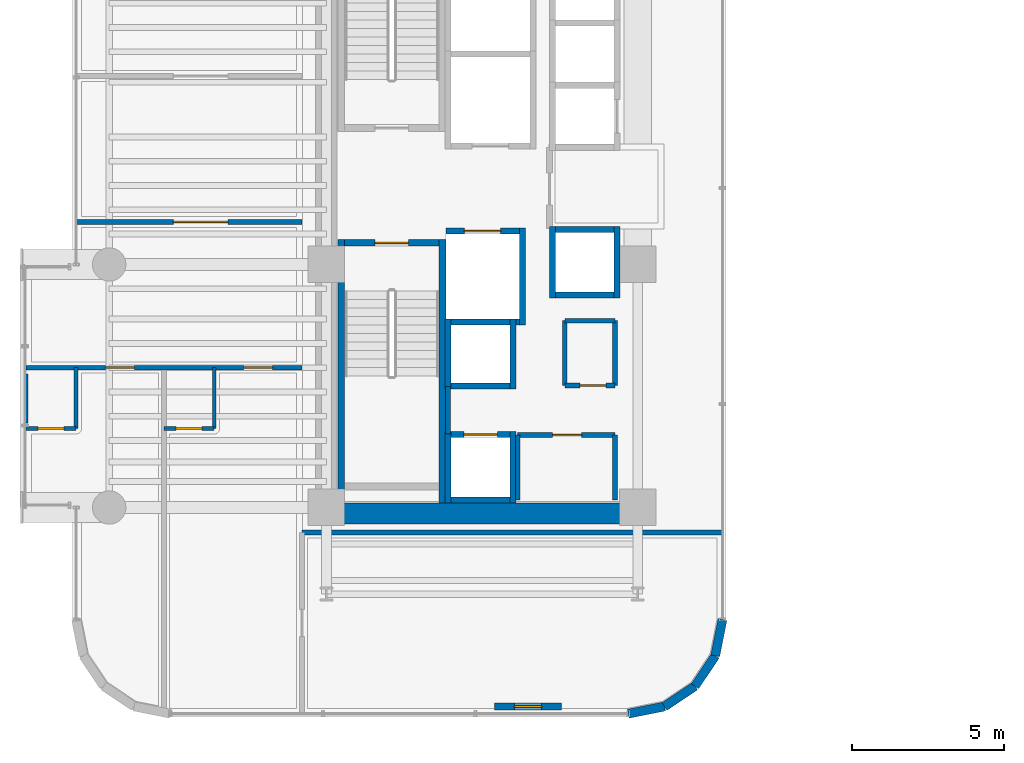
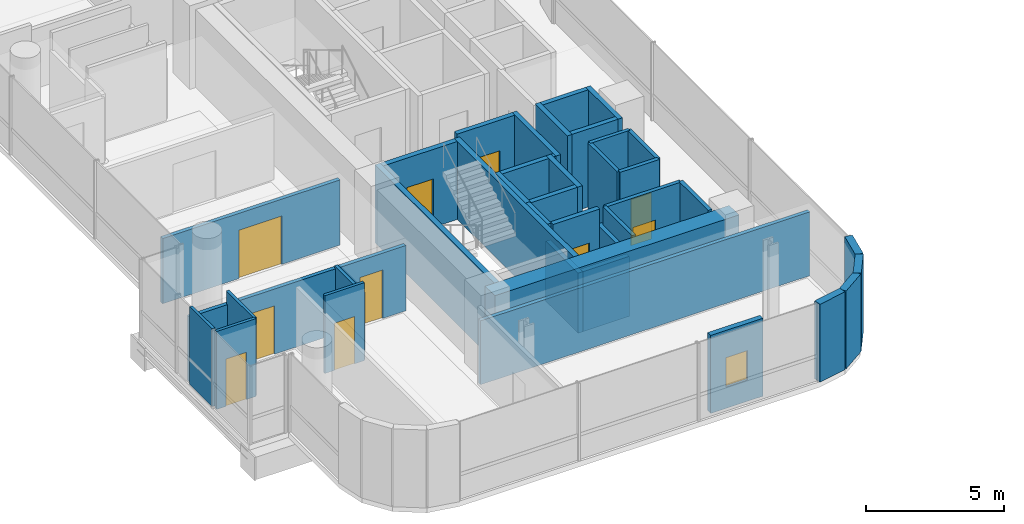
# One storey, part 28 of 37: 39 walls, 10 doors, 1 window, 11 openings.
"""IFC4 building model written with IfcOpenShell, lengths in metres."""

from ifc_helpers import new_model, si_unit, direction, frame, frame_2d, origin, place, context, subcontext, project, spatial, rectangle, extrude, material, layer, layer_set, type_object, element, fill, save


model = new_model("IFC4")

# Units and contexts
model_context = context("Model", 3, precision=1e-05, world=origin(), true_north=direction((0.0, 1.0)))
body_context = subcontext(model_context, "Body", "Model", "MODEL_VIEW")
ifc_project = project(units=[si_unit("LENGTHUNIT", "METRE"), si_unit("AREAUNIT", "SQUARE_METRE"), si_unit("VOLUMEUNIT", "CUBIC_METRE"), si_unit("PLANEANGLEUNIT", "RADIAN"), si_unit("MASSUNIT", "GRAM", prefix="KILO")], contexts=[model_context])

# Site, building, storey
site_placement = place(None, origin())
site = spatial("IfcSite", under=ifc_project, at=site_placement, CompositionType="ELEMENT")
building_placement = place(site_placement, origin())
building = spatial("IfcBuilding", under=site, at=building_placement, Name="Valdorenza Pilgrim Sanctuary Tower", CompositionType="ELEMENT")
storey_placement = place(building_placement, frame((0.0, 0.0, 135.300048828125)))
storey = spatial("IfcBuildingStorey", under=building, at=storey_placement, Name="L34", CompositionType="ELEMENT", Elevation=135.300048828125)

# Wall
ifc_material_1 = material(Name="Acoustic twin-stud gypsum partition", Category="gypsum")
ifc_layer_1 = layer(ifc_material_1, 0.159912109375, Name="Acoustic twin-stud gypsum partition")
ifc_layer_set_1 = layer_set([ifc_layer_1], Name="Acoustic twin-stud gypsum partition")
wall_type_1 = type_object("IfcWallType", Name="WAL-COR-160", PredefinedType="PARTITIONING", material=ifc_layer_set_1)
wall_1_placement = place(storey_placement, frame((-18.64990234375, -8.179931640625, 0.0), z_axis=(0.0, 0.0, 1.0), x_axis=(0.0, 1.0, 0.0)))
element("IfcWall", 1, at=wall_1_placement, inside=storey, type_object=wall_type_1, Name="L34 Core A South Lift Hall West Wall", PredefinedType="PARTITIONING", context=body_context, shape_type="SweptSolid", body=[
    extrude(rectangle(XDim=1.559814453125, YDim=0.159912109375, at=frame_2d((0.77978515625, 0.0))), origin(), (0.0, 0.0, 1.0), 3.4599609375),
])

# Wall, opening, door
wall_2_placement = place(storey_placement, frame((-16.35009765625, -8.219970703125, 0.0), z_axis=(0.0, 0.0, 1.0), x_axis=(1.0, 0.0, 0.0)))
wall_2 = element("IfcWall", 2, at=wall_2_placement, inside=storey, type_object=wall_type_1, Name="L34 Freed Shaft 1 North Wall", PredefinedType="PARTITIONING", context=body_context, shape_type="SweptSolid", body=[
    extrude(rectangle(XDim=3.2001953125, YDim=0.159912109375, at=frame_2d((1.60009765625, 0.0))), origin(), (0.0, 0.0, 1.0), 3.4599609375),
])
opening_1_placement = place(wall_2_placement, frame((1.14990234375, 0.0, 0.0)))
opening_1 = element("IfcOpeningElement", 3, at=opening_1_placement, cuts=wall_2, Name="Opening DR-UN1", PredefinedType="OPENING", context=body_context, shape_type="SweptSolid", body=[
    extrude(rectangle(XDim=0.949951171875, YDim=2.14990234375, at=frame_2d((0.47509765625, 1.074951171875))), frame((0.0, 0.0947265625, 0.0), z_axis=(0.0, -1.0, 0.0), x_axis=(1.0, 0.0, 0.0)), (0.0, 0.0, 1.0), 0.189697265625),
])
ifc_material_2 = material(Name="Solid-core European oak timber", Category="wood")
door_type_1 = type_object("IfcDoorType", Name="DR-UNIT-950", OperationType="NOTDEFINED", PredefinedType="DOOR", material=ifc_material_2)
door_1_placement = place(opening_1_placement, origin())
door_1 = element("IfcDoor", 4, at=door_1_placement, inside=storey, type_object=door_type_1, Name="L34 Back-of-House Linen Store Door", OperationType="SINGLE_SWING_RIGHT", OverallHeight=2.14990234375, OverallWidth=0.949951171875, PredefinedType="DOOR", context=body_context, shape_type="SweptSolid", body=[
    extrude(rectangle(XDim=0.949951171875, YDim=2.14990234375, at=frame_2d((0.47509765625, 1.074951171875))), frame((0.0, 0.02490234375, 0.0), z_axis=(0.0, -1.0, 0.0), x_axis=(1.0, 0.0, 0.0)), (0.0, 0.0, 1.0), 0.050048828125),
])
fill(opening_1, door_1)

# Wall
wall_3_placement = place(storey_placement, frame((-13.14990234375, -10.35009765625, 0.0), z_axis=(0.0, 0.0, 1.0), x_axis=(0.0, 1.0, 0.0)))
element("IfcWall", 5, at=wall_3_placement, inside=storey, type_object=wall_type_1, Name="L34 Freed Shaft 1 East Wall", PredefinedType="PARTITIONING", context=body_context, shape_type="SweptSolid", body=[
    extrude(rectangle(XDim=2.130126953125, YDim=0.159912109375, at=frame_2d((1.06494140625, 0.0))), origin(), (0.0, 0.0, 1.0), 3.4599609375),
])

# Wall, opening, door
wall_4_placement = place(storey_placement, frame((-14.800048828125, -6.580078125, 0.0), z_axis=(0.0, 0.0, 1.0), x_axis=(1.0, 0.0, 0.0)))
wall_4 = element("IfcWall", 6, at=wall_4_placement, inside=storey, type_object=wall_type_1, Name="L34 Freed Shaft 2 South Wall", PredefinedType="PARTITIONING", context=body_context, shape_type="SweptSolid", body=[
    extrude(rectangle(XDim=1.650146484375, YDim=0.159912109375, at=frame_2d((0.8251953125, 0.0))), origin(), (0.0, 0.0, 1.0), 3.4599609375),
])
opening_2_placement = place(wall_4_placement, frame((0.5, 0.0, 0.0)))
opening_2 = element("IfcOpeningElement", 7, at=opening_2_placement, cuts=wall_4, Name="Opening DR-RS1", PredefinedType="OPENING", context=body_context, shape_type="SweptSolid", body=[
    extrude(rectangle(XDim=0.85009765625, YDim=2.050048828125, at=frame_2d((0.425048828125, 1.02490234375))), frame((0.0, 0.0947265625, 0.0), z_axis=(0.0, -1.0, 0.0), x_axis=(1.0, 0.0, 0.0)), (0.0, 0.0, 1.0), 0.189697265625),
])
ifc_material_3 = material(Name="Painted galvanized steel", Category="steel")
door_type_2 = type_object("IfcDoorType", Name="DR-RSR-850", OperationType="NOTDEFINED", PredefinedType="DOOR", material=ifc_material_3)
door_2_placement = place(opening_2_placement, origin())
door_2 = element("IfcDoor", 8, at=door_2_placement, inside=storey, type_object=door_type_2, Name="L34 Guest Tea Pantry Door", OperationType="SINGLE_SWING_LEFT", OverallHeight=2.050048828125, OverallWidth=0.85009765625, PredefinedType="DOOR", context=body_context, shape_type="SweptSolid", body=[
    extrude(rectangle(XDim=0.85009765625, YDim=2.050048828125, at=frame_2d((0.425048828125, 1.02490234375))), frame((0.0, 0.02490234375, 0.0), z_axis=(0.0, -1.0, 0.0), x_axis=(1.0, 0.0, 0.0)), (0.0, 0.0, 1.0), 0.050048828125),
])
fill(opening_2, door_2)

# Walls
wall_5_placement = place(storey_placement, frame((-13.14990234375, -6.580078125, 0.0), z_axis=(0.0, 0.0, 1.0), x_axis=(0.0, 1.0, 0.0)))
element("IfcWall", 9, at=wall_5_placement, inside=storey, type_object=wall_type_1, Name="L34 Freed Shaft 2 East Wall", PredefinedType="PARTITIONING", context=body_context, shape_type="SweptSolid", body=[
    extrude(rectangle(XDim=2.130126953125, YDim=0.159912109375, at=frame_2d((1.06494140625, 0.0))), origin(), (0.0, 0.0, 1.0), 3.4599609375),
])
wall_6_placement = place(storey_placement, frame((-23.449951171875, -11.419921875, 0.0), z_axis=(0.0, 0.0, 1.0), x_axis=(1.0, 0.0, 0.0)))
element("IfcWall", 10, at=wall_6_placement, inside=storey, type_object=wall_type_1, Name="L34 South-East Pocket North Wall", PredefinedType="PARTITIONING", context=body_context, shape_type="SweptSolid", body=[
    extrude(rectangle(XDim=13.83984375, YDim=0.159912109375, at=frame_2d((6.919921875, 0.0))), origin(), (0.0, 0.0, 1.0), 2.833984375),
])

# Wall, openings, doors
wall_7_placement = place(storey_placement, frame((-32.5400390625, -6.0, 0.0), z_axis=(0.0, 0.0, 1.0), x_axis=(1.0, 0.0, 0.0)))
wall_7 = element("IfcWall", 11, at=wall_7_placement, inside=storey, type_object=wall_type_1, Name="L34 Cloister South Room Wall", PredefinedType="PARTITIONING", context=body_context, shape_type="SweptSolid", body=[
    extrude(rectangle(XDim=9.090087890625, YDim=0.159912109375, at=frame_2d((4.544921875, 0.0))), origin(), (0.0, 0.0, 1.0), 2.89599609375),
])
opening_3_placement = place(wall_7_placement, frame((2.6220703125, 0.0, 0.0)))
opening_3 = element("IfcOpeningElement", 12, at=opening_3_placement, cuts=wall_7, Name="Opening DR-UN1", PredefinedType="OPENING", context=body_context, shape_type="SweptSolid", body=[
    extrude(rectangle(XDim=0.949951171875, YDim=2.14990234375, at=frame_2d((0.47509765625, 1.074951171875))), frame((0.0, 0.0947265625, 0.0), z_axis=(0.0, -1.0, 0.0), x_axis=(1.0, 0.0, 0.0)), (0.0, 0.0, 1.0), 0.189697265625),
])
opening_4_placement = place(wall_7_placement, frame((7.16796875, 0.0, 0.0)))
opening_4 = element("IfcOpeningElement", 13, at=opening_4_placement, cuts=wall_7, Name="Opening DR-UN1", PredefinedType="OPENING", context=body_context, shape_type="SweptSolid", body=[
    extrude(rectangle(XDim=0.949951171875, YDim=2.14990234375, at=frame_2d((0.47509765625, 1.074951171875))), frame((0.0, 0.0947265625, 0.0), z_axis=(0.0, -1.0, 0.0), x_axis=(1.0, 0.0, 0.0)), (0.0, 0.0, 1.0), 0.189697265625),
])
door_3_placement = place(opening_3_placement, frame((0.949951171875, 0.0, 0.0), z_axis=(0.0, 0.0, 1.0), x_axis=(-1.0, 0.0, 0.0)))
door_3 = element("IfcDoor", 14, at=door_3_placement, inside=storey, type_object=door_type_1, Name="L34 Pilgrim Guest Room L34-CS1A Entrance Door", OperationType="SINGLE_SWING_LEFT", OverallHeight=2.14990234375, OverallWidth=0.949951171875, PredefinedType="DOOR", context=body_context, shape_type="SweptSolid", body=[
    extrude(rectangle(XDim=0.949951171875, YDim=2.14990234375, at=frame_2d((0.47509765625, 1.074951171875))), frame((0.0, 0.02490234375, 0.0), z_axis=(0.0, -1.0, 0.0), x_axis=(1.0, 0.0, 0.0)), (0.0, 0.0, 1.0), 0.050048828125),
])
fill(opening_3, door_3)
door_4_placement = place(opening_4_placement, frame((0.949951171875, 0.0, 0.0), z_axis=(0.0, 0.0, 1.0), x_axis=(-1.0, 0.0, 0.0)))
door_4 = element("IfcDoor", 15, at=door_4_placement, inside=storey, type_object=door_type_1, Name="L34 Pilgrim Guest Room L34-CS1B Entrance Door", OperationType="SINGLE_SWING_LEFT", OverallHeight=2.14990234375, OverallWidth=0.949951171875, PredefinedType="DOOR", context=body_context, shape_type="SweptSolid", body=[
    extrude(rectangle(XDim=0.949951171875, YDim=2.14990234375, at=frame_2d((0.47509765625, 1.074951171875))), frame((0.0, 0.02490234375, 0.0), z_axis=(0.0, -1.0, 0.0), x_axis=(1.0, 0.0, 0.0)), (0.0, 0.0, 1.0), 0.050048828125),
])
fill(opening_4, door_4)

# Wall, opening, door
wall_8_placement = place(storey_placement, frame((-30.889892578125, -1.199951171875, 0.0), z_axis=(0.0, 0.0, 1.0), x_axis=(1.0, 0.0, 0.0)))
wall_8 = element("IfcWall", 16, at=wall_8_placement, inside=storey, type_object=wall_type_1, Name="L34 Cloister Mid Wall 1", PredefinedType="PARTITIONING", context=body_context, shape_type="SweptSolid", body=[
    extrude(rectangle(XDim=7.43994140625, YDim=0.159912109375, at=frame_2d((3.719970703125, 0.0))), origin(), (0.0, 0.0, 1.0), 2.89599609375),
])
opening_5_placement = place(wall_8_placement, frame((3.199951171875, 0.0, 0.0)))
opening_5 = element("IfcOpeningElement", 17, at=opening_5_placement, cuts=wall_8, Name="Opening DR-HL1", PredefinedType="OPENING", context=body_context, shape_type="SweptSolid", body=[
    extrude(rectangle(XDim=1.800048828125, YDim=2.14990234375, at=frame_2d((0.89990234375, 1.074951171875))), frame((0.0, 0.0947265625, 0.0), z_axis=(0.0, -1.0, 0.0), x_axis=(1.0, 0.0, 0.0)), (0.0, 0.0, 1.0), 0.189697265625),
])
ifc_material_4 = material(Name="Acoustic oak and vision-glass double door", Category="glass")
door_type_3 = type_object("IfcDoorType", Name="DR-HALL-1800", OperationType="NOTDEFINED", PredefinedType="DOOR", material=ifc_material_4)
door_5_placement = place(opening_5_placement, origin())
door_5 = element("IfcDoor", 18, at=door_5_placement, inside=storey, type_object=door_type_3, Name="L34 Cloister South-Mid Double Door", OperationType="DOUBLE_DOOR_SINGLE_SWING", OverallHeight=2.14990234375, OverallWidth=1.800048828125, PredefinedType="DOOR", context=body_context, shape_type="SweptSolid", body=[
    extrude(rectangle(XDim=1.800048828125, YDim=2.14990234375, at=frame_2d((0.89990234375, 1.074951171875))), frame((0.0, 0.02490234375, 0.0), z_axis=(0.0, -1.0, 0.0), x_axis=(1.0, 0.0, 0.0)), (0.0, 0.0, 1.0), 0.050048828125),
])
fill(opening_5, door_5)

# Walls
ifc_material_5 = material(Name="Concrete C60/75", Category="concrete")
ifc_layer_2 = layer(ifc_material_5, 0.699951171875, Name="Concrete C60/75")
ifc_layer_set_2 = layer_set([ifc_layer_2], Name="Concrete C60/75")
wall_type_2 = type_object("IfcWallType", Name="WAL-COR-700", PredefinedType="SHEAR", material=ifc_layer_set_2)
wall_9_placement = place(storey_placement, frame((-22.64990234375, -10.800048828125, 0.0), z_axis=(0.0, 0.0, 1.0), x_axis=(1.0, 0.0, 0.0)))
element("IfcWall", 19, at=wall_9_placement, inside=storey, type_object=wall_type_2, Name="L34 Split Core A Shear Wall S", PredefinedType="SHEAR", context=body_context, shape_type="SweptSolid", body=[
    extrude(rectangle(XDim=10.25, YDim=0.699951171875, at=frame_2d((5.125, 0.0))), origin(), (0.0, 0.0, 1.0), 3.4599609375),
])
ifc_material_6 = material(Name="Honed travertine limestone", Category="masonry")
ifc_layer_3 = layer(ifc_material_6, 0.300048828125, Name="Honed travertine limestone")
ifc_layer_set_3 = layer_set([ifc_layer_3], Name="Honed travertine limestone")
wall_type_3 = type_object("IfcWallType", Name="WAL-EXT-300", PredefinedType="SOLIDWALL", material=ifc_layer_set_3)
wall_10_placement = place(storey_placement, frame((-9.610107421875, -14.289306640625, 0.0), z_axis=(0.0, 0.0, 1.0), x_axis=(-0.194996050505, -0.980804027463, 0.0)))
element("IfcWall", 20, at=wall_10_placement, inside=storey, type_object=wall_type_3, Name="L34 Rounded Wind-Corner Stone Pier 42", PredefinedType="SOLIDWALL", context=body_context, shape_type="SweptSolid", body=[
    extrude(rectangle(XDim=1.2158203125, YDim=0.300048828125, at=frame_2d((0.60791015625, 0.0))), origin(), (0.0, 0.0, 1.0), 3.4599609375),
])
for number, where, z_axis, x_axis, name in (
    (21, (-9.84716796875, -15.481689453125, 0.0), (0.0, 0.0, 1.0), (-0.555635100982, -0.831426265255, 0.0), "L34 Rounded Wind-Corner Stone Pier 43"),
    (22, (-10.5166015625, -16.4833984375, 0.0), (0.0, 0.0, 1.0), (-0.831426265255, -0.555635100982, 0.0), "L34 Rounded Wind-Corner Stone Pier 44"),
):
    element("IfcWall", number, at=place(storey_placement, frame(where, z_axis=z_axis, x_axis=x_axis)), inside=storey, type_object=wall_type_3, Name=name, PredefinedType="SOLIDWALL", context=body_context, shape_type="SweptSolid", body=[
        extrude(rectangle(XDim=1.204833984375, YDim=0.300048828125, at=frame_2d((0.6025390625, 0.0))), origin(), (0.0, 0.0, 1.0), 3.4599609375),
    ])
wall_11_placement = place(storey_placement, frame((-11.518310546875, -17.15283203125, 0.0), z_axis=(0.0, 0.0, 1.0), x_axis=(-0.980804027463, -0.194996050505, 0.0)))
element("IfcWall", 23, at=wall_11_placement, inside=storey, type_object=wall_type_3, Name="L34 Rounded Wind-Corner Stone Pier 45", PredefinedType="SOLIDWALL", context=body_context, shape_type="SweptSolid", body=[
    extrude(rectangle(XDim=1.2158203125, YDim=0.300048828125, at=frame_2d((0.60791015625, 0.0))), origin(), (0.0, 0.0, 1.0), 3.4599609375),
])

# Wall, opening, window
wall_12_placement = place(storey_placement, frame((-14.910888671875, -17.14990234375, 0.0), z_axis=(0.0, 0.0, 1.0), x_axis=(-1.0, 0.0, 0.0)))
wall_12 = element("IfcWall", 24, at=wall_12_placement, inside=storey, type_object=wall_type_3, Name="L34 Operable Ventilation Sash Jamb Pier", PredefinedType="SOLIDWALL", context=body_context, shape_type="SweptSolid", body=[
    extrude(rectangle(XDim=2.199951171875, YDim=0.219970703125, at=frame_2d((1.10009765625, 0.0))), origin(), (0.0, 0.0, 1.0), 3.4599609375),
])
opening_6_placement = place(wall_12_placement, frame((0.64990234375, 0.0, 0.949951171875)))
opening_6 = element("IfcOpeningElement", 25, at=opening_6_placement, cuts=wall_12, Name="Opening WN-OP1", PredefinedType="OPENING", context=body_context, shape_type="SweptSolid", body=[
    extrude(rectangle(XDim=0.89990234375, YDim=1.300048828125, at=frame_2d((0.449951171875, 0.64990234375))), frame((0.0, 0.125, 0.0), z_axis=(0.0, -1.0, 0.0), x_axis=(1.0, 0.0, 0.0)), (0.0, 0.0, 1.0), 0.249755859375),
])
ifc_material_7 = material(Name="Ceramic-fritted low-E IGU glazing", Category="glass")
window_type = type_object("IfcWindowType", Name="WIN-OPN-900", PartitioningType="SINGLE_PANEL", PredefinedType="WINDOW", material=ifc_material_7)
window_placement = place(opening_6_placement, origin())
window = element("IfcWindow", 26, at=window_placement, inside=storey, type_object=window_type, Name="L34 Parallel-Pop-Out Operable Facade Panel", OverallHeight=1.300048828125, OverallWidth=0.89990234375, PartitioningType="SINGLE_PANEL", PredefinedType="WINDOW", context=body_context, shape_type="SweptSolid", body=[
    extrude(rectangle(XDim=0.89990234375, YDim=1.300048828125, at=frame_2d((0.449951171875, 0.64990234375))), frame((0.0, 0.030029296875, 0.0), z_axis=(0.0, -1.0, 0.0), x_axis=(1.0, 0.0, 0.0)), (0.0, 0.0, 1.0), 0.06005859375),
])
fill(opening_6, window)

# Wall
ifc_material_8 = material(Name="Moisture-resistant gypsum partition", Category="gypsum")
ifc_layer_4 = layer(ifc_material_8, 0.1201171875, Name="Moisture-resistant gypsum partition")
ifc_layer_set_4 = layer_set([ifc_layer_4], Name="Moisture-resistant gypsum partition")
wall_type_4 = type_object("IfcWallType", Name="WAL-INT-120", PredefinedType="PARTITIONING", material=ifc_layer_set_4)
wall_13_placement = place(storey_placement, frame((-30.889892578125, -8.0, 0.0), z_axis=(0.0, 0.0, 1.0), x_axis=(0.0, 1.0, 0.0)))
element("IfcWall", 27, at=wall_13_placement, inside=storey, type_object=wall_type_4, Name="L34 Pilgrim Guest Room L34-CS1A En-suite East Wall", PredefinedType="PARTITIONING", context=body_context, shape_type="SweptSolid", body=[
    extrude(rectangle(XDim=2.0, YDim=0.1201171875, at=frame_2d((1.0, 0.0))), origin(), (0.0, 0.0, 1.0), 3.4599609375),
])

# Wall, opening, door
wall_14_placement = place(storey_placement, frame((-32.5400390625, -8.0, 0.0), z_axis=(0.0, 0.0, 1.0), x_axis=(1.0, 0.0, 0.0)))
wall_14 = element("IfcWall", 28, at=wall_14_placement, inside=storey, type_object=wall_type_4, Name="L34 Pilgrim Guest Room L34-CS1A En-suite Door Wall", PredefinedType="PARTITIONING", context=body_context, shape_type="SweptSolid", body=[
    extrude(rectangle(XDim=1.650146484375, YDim=0.1201171875, at=frame_2d((0.8251953125, 0.0))), origin(), (0.0, 0.0, 1.0), 3.4599609375),
])
opening_7_placement = place(wall_14_placement, frame((0.39990234375, 0.0, 0.0)))
opening_7 = element("IfcOpeningElement", 29, at=opening_7_placement, cuts=wall_14, Name="Opening DR-WC1", PredefinedType="OPENING", context=body_context, shape_type="SweptSolid", body=[
    extrude(rectangle(XDim=0.85009765625, YDim=2.10009765625, at=frame_2d((0.425048828125, 1.050048828125))), frame((0.0, 0.074951171875, 0.0), z_axis=(0.0, -1.0, 0.0), x_axis=(1.0, 0.0, 0.0)), (0.0, 0.0, 1.0), 0.14990234375),
])
ifc_material_9 = material(Name="Moisture-resistant lacquered timber", Category="wood")
door_type_4 = type_object("IfcDoorType", Name="DR-BATH-850", OperationType="NOTDEFINED", PredefinedType="DOOR", material=ifc_material_9)
door_6_placement = place(opening_7_placement, origin())
door_6 = element("IfcDoor", 30, at=door_6_placement, inside=storey, type_object=door_type_4, Name="L34 Pilgrim Guest Room L34-CS1A En-suite Bathroom Door", OperationType="SINGLE_SWING_RIGHT", OverallHeight=2.10009765625, OverallWidth=0.85009765625, PredefinedType="DOOR", context=body_context, shape_type="SweptSolid", body=[
    extrude(rectangle(XDim=0.85009765625, YDim=2.10009765625, at=frame_2d((0.425048828125, 1.050048828125))), frame((0.0, 0.02490234375, 0.0), z_axis=(0.0, -1.0, 0.0), x_axis=(1.0, 0.0, 0.0)), (0.0, 0.0, 1.0), 0.050048828125),
])
fill(opening_7, door_6)

# Walls
wall_15_placement = place(storey_placement, frame((-32.5400390625, -7.820068359375, 0.0), z_axis=(0.0, 0.0, 1.0), x_axis=(0.0, 1.0, 0.0)))
element("IfcWall", 31, at=wall_15_placement, inside=storey, type_object=wall_type_4, Name="L34 CL-SG1A-ENS Enclosure Wall W", PredefinedType="PARTITIONING", context=body_context, shape_type="SweptSolid", body=[
    extrude(rectangle(XDim=1.6201171875, YDim=0.1201171875, at=frame_2d((0.81005859375, 0.0))), origin(), (0.0, 0.0, 1.0), 3.4599609375),
])
wall_16_placement = place(storey_placement, frame((-26.344970703125, -8.0, 0.0), z_axis=(0.0, 0.0, 1.0), x_axis=(0.0, 1.0, 0.0)))
element("IfcWall", 32, at=wall_16_placement, inside=storey, type_object=wall_type_4, Name="L34 Pilgrim Guest Room L34-CS1B En-suite East Wall", PredefinedType="PARTITIONING", context=body_context, shape_type="SweptSolid", body=[
    extrude(rectangle(XDim=2.0, YDim=0.1201171875, at=frame_2d((1.0, 0.0))), origin(), (0.0, 0.0, 1.0), 2.988037109375),
])

# Wall, opening, door
wall_17_placement = place(storey_placement, frame((-27.9951171875, -8.0, 0.0), z_axis=(0.0, 0.0, 1.0), x_axis=(1.0, 0.0, 0.0)))
wall_17 = element("IfcWall", 33, at=wall_17_placement, inside=storey, type_object=wall_type_4, Name="L34 Pilgrim Guest Room L34-CS1B En-suite Door Wall", PredefinedType="PARTITIONING", context=body_context, shape_type="SweptSolid", body=[
    extrude(rectangle(XDim=1.650146484375, YDim=0.1201171875, at=frame_2d((0.8251953125, 0.0))), origin(), (0.0, 0.0, 1.0), 3.4599609375),
])
opening_8_placement = place(wall_17_placement, frame((0.39990234375, 0.0, 0.0)))
opening_8 = element("IfcOpeningElement", 34, at=opening_8_placement, cuts=wall_17, Name="Opening DR-WC1", PredefinedType="OPENING", context=body_context, shape_type="SweptSolid", body=[
    extrude(rectangle(XDim=0.85009765625, YDim=2.10009765625, at=frame_2d((0.425048828125, 1.050048828125))), frame((0.0, 0.074951171875, 0.0), z_axis=(0.0, -1.0, 0.0), x_axis=(1.0, 0.0, 0.0)), (0.0, 0.0, 1.0), 0.14990234375),
])
door_7_placement = place(opening_8_placement, origin())
door_7 = element("IfcDoor", 35, at=door_7_placement, inside=storey, type_object=door_type_4, Name="L34 Pilgrim Guest Room L34-CS1B En-suite Bathroom Door", OperationType="SINGLE_SWING_RIGHT", OverallHeight=2.10009765625, OverallWidth=0.85009765625, PredefinedType="DOOR", context=body_context, shape_type="SweptSolid", body=[
    extrude(rectangle(XDim=0.85009765625, YDim=2.10009765625, at=frame_2d((0.425048828125, 1.050048828125))), frame((0.0, 0.02490234375, 0.0), z_axis=(0.0, -1.0, 0.0), x_axis=(1.0, 0.0, 0.0)), (0.0, 0.0, 1.0), 0.050048828125),
])
fill(opening_8, door_7)

# Walls
ifc_material_10 = material(Name="Autoclaved aerated concrete blockwork", Category="masonry")
ifc_layer_5 = layer(ifc_material_10, 0.199951171875, Name="Autoclaved aerated concrete blockwork")
ifc_layer_set_5 = layer_set([ifc_layer_5], Name="Autoclaved aerated concrete blockwork")
wall_type_5 = type_object("IfcWallType", Name="WAL-SHF-200", PredefinedType="MOVABLE", material=ifc_layer_set_5)
wall_18_placement = place(storey_placement, frame((-16.199951171875, -4.60009765625, 0.0), z_axis=(0.0, 0.0, 1.0), x_axis=(0.0, 1.0, 0.0)))
element("IfcWall", 36, at=wall_18_placement, inside=storey, type_object=wall_type_5, Name="L34 Lift FFL-02 Hoistway Wall East", PredefinedType="MOVABLE", context=body_context, shape_type="SweptSolid", body=[
    extrude(rectangle(XDim=3.2001953125, YDim=0.199951171875, at=frame_2d((1.60009765625, 0.0))), origin(), (0.0, 0.0, 1.0), 3.4599609375),
])
wall_19_placement = place(storey_placement, frame((-18.719970703125, -4.5, 0.0), z_axis=(0.0, 0.0, 1.0), x_axis=(1.0, 0.0, 0.0)))
element("IfcWall", 37, at=wall_19_placement, inside=storey, type_object=wall_type_5, Name="L34 Lift FFL-02 Hoistway Wall South", PredefinedType="MOVABLE", context=body_context, shape_type="SweptSolid", body=[
    extrude(rectangle(XDim=2.419921875, YDim=0.199951171875, at=frame_2d((1.2099609375, 0.0))), origin(), (0.0, 0.0, 1.0), 3.4599609375),
])

# Wall, opening, door
wall_20_placement = place(storey_placement, frame((-18.719970703125, -1.5, 0.0), z_axis=(0.0, 0.0, 1.0), x_axis=(1.0, 0.0, 0.0)))
wall_20 = element("IfcWall", 38, at=wall_20_placement, inside=storey, type_object=wall_type_5, Name="L34 Lift FFL-02 Hoistway Wall North", PredefinedType="MOVABLE", context=body_context, shape_type="SweptSolid", body=[
    extrude(rectangle(XDim=2.419921875, YDim=0.199951171875, at=frame_2d((1.2099609375, 0.0))), origin(), (0.0, 0.0, 1.0), 3.4599609375),
])
opening_9_placement = place(wall_20_placement, frame((0.610107421875, 0.0, 0.0)))
opening_9 = element("IfcOpeningElement", 39, at=opening_9_placement, cuts=wall_20, Name="Opening LD-02", PredefinedType="OPENING", context=body_context, shape_type="SweptSolid", body=[
    extrude(rectangle(XDim=1.199951171875, YDim=2.10009765625, at=frame_2d((0.60009765625, 1.050048828125))), frame((0.0, 0.11474609375, 0.0), z_axis=(0.0, -1.0, 0.0), x_axis=(1.0, 0.0, 0.0)), (0.0, 0.0, 1.0), 0.229736328125),
])
ifc_material_11 = material(Name="Brushed stainless steel Grade 316", Category="steel")
door_type_5 = type_object("IfcDoorType", Name="DR-LFT-1200", OperationType="DOUBLE_DOOR_SLIDING", PredefinedType="DOOR", material=ifc_material_11)
door_8_placement = place(opening_9_placement, origin())
door_8 = element("IfcDoor", 40, at=door_8_placement, inside=storey, type_object=door_type_5, Name="L34 Lift FFL-02 Sliding Landing Door", OperationType="DOUBLE_DOOR_SLIDING", OverallHeight=2.10009765625, OverallWidth=1.199951171875, PredefinedType="DOOR", context=body_context, shape_type="SweptSolid", body=[
    extrude(rectangle(XDim=1.199951171875, YDim=2.10009765625, at=frame_2d((0.60009765625, 1.050048828125))), frame((0.0, 0.02490234375, 0.0), z_axis=(0.0, -1.0, 0.0), x_axis=(1.0, 0.0, 0.0)), (0.0, 0.0, 1.0), 0.050048828125),
])
fill(opening_9, door_8)

# Walls
for number, where, z_axis, x_axis, name in (
    (41, (-18.64990234375, -10.449951171875, 0.0), (0.0, 0.0, 1.0), (0.0, 1.0, 0.0), "L34 Lift PL-05 Hoistway Wall West"),
    (42, (-16.5, -10.449951171875, 0.0), (0.0, 0.0, 1.0), (0.0, 1.0, 0.0), "L34 Lift PL-05 Hoistway Wall East"),
):
    element("IfcWall", number, at=place(storey_placement, frame(where, z_axis=z_axis, x_axis=x_axis)), inside=storey, type_object=wall_type_5, Name=name, PredefinedType="MOVABLE", context=body_context, shape_type="SweptSolid", body=[
        extrude(rectangle(XDim=2.349853515625, YDim=0.199951171875, at=frame_2d((1.1748046875, 0.0))), origin(), (0.0, 0.0, 1.0), 2.666015625),
    ])
wall_21_placement = place(storey_placement, frame((-18.550048828125, -10.35009765625, 0.0), z_axis=(0.0, 0.0, 1.0), x_axis=(1.0, 0.0, 0.0)))
element("IfcWall", 43, at=wall_21_placement, inside=storey, type_object=wall_type_5, Name="L34 Lift PL-05 Hoistway Wall South", PredefinedType="MOVABLE", context=body_context, shape_type="SweptSolid", body=[
    extrude(rectangle(XDim=1.949951171875, YDim=0.199951171875, at=frame_2d((0.97509765625, 0.0))), origin(), (0.0, 0.0, 1.0), 2.666015625),
])

# Wall, opening, door
wall_22_placement = place(storey_placement, frame((-18.550048828125, -8.199951171875, 0.0), z_axis=(0.0, 0.0, 1.0), x_axis=(1.0, 0.0, 0.0)))
wall_22 = element("IfcWall", 44, at=wall_22_placement, inside=storey, type_object=wall_type_5, Name="L34 Lift PL-05 Hoistway Wall North", PredefinedType="MOVABLE", context=body_context, shape_type="SweptSolid", body=[
    extrude(rectangle(XDim=1.949951171875, YDim=0.199951171875, at=frame_2d((0.97509765625, 0.0))), origin(), (0.0, 0.0, 1.0), 3.4599609375),
])
opening_10_placement = place(wall_22_placement, frame((0.425048828125, 0.0, 0.0)))
opening_10 = element("IfcOpeningElement", 45, at=opening_10_placement, cuts=wall_22, Name="Opening LD-01", PredefinedType="OPENING", context=body_context, shape_type="SweptSolid", body=[
    extrude(rectangle(XDim=1.10009765625, YDim=2.10009765625, at=frame_2d((0.550048828125, 1.050048828125))), frame((0.0, 0.11474609375, 0.0), z_axis=(0.0, -1.0, 0.0), x_axis=(1.0, 0.0, 0.0)), (0.0, 0.0, 1.0), 0.229736328125),
])
door_type_6 = type_object("IfcDoorType", Name="DR-LFT-1100", OperationType="DOUBLE_DOOR_SLIDING", PredefinedType="DOOR", material=ifc_material_11)
door_9_placement = place(opening_10_placement, origin())
door_9 = element("IfcDoor", 46, at=door_9_placement, inside=storey, type_object=door_type_6, Name="L34 Lift PL-05 Sliding Landing Door", OperationType="DOUBLE_DOOR_SLIDING", OverallHeight=2.10009765625, OverallWidth=1.10009765625, PredefinedType="DOOR", context=body_context, shape_type="SweptSolid", body=[
    extrude(rectangle(XDim=1.10009765625, YDim=2.10009765625, at=frame_2d((0.550048828125, 1.050048828125))), frame((0.0, 0.02490234375, 0.0), z_axis=(0.0, -1.0, 0.0), x_axis=(1.0, 0.0, 0.0)), (0.0, 0.0, 1.0), 0.050048828125),
])
fill(opening_10, door_9)

# Walls
for number, where, z_axis, x_axis, name in (
    (47, (-18.64990234375, -6.699951171875, 0.0), (0.0, 0.0, 1.0), (0.0, 1.0, 0.0), "L34 Lift PL-11 Hoistway Wall West"),
    (48, (-16.5, -6.699951171875, 0.0), (0.0, 0.0, 1.0), (0.0, 1.0, 0.0), "L34 Lift PL-11 Hoistway Wall East"),
):
    element("IfcWall", number, at=place(storey_placement, frame(where, z_axis=z_axis, x_axis=x_axis)), inside=storey, type_object=wall_type_5, Name=name, PredefinedType="MOVABLE", context=body_context, shape_type="SweptSolid", body=[
        extrude(rectangle(XDim=2.300048828125, YDim=0.199951171875, at=frame_2d((1.14990234375, 0.0))), origin(), (0.0, 0.0, 1.0), 3.4599609375),
    ])
wall_23_placement = place(storey_placement, frame((-18.550048828125, -6.60009765625, 0.0), z_axis=(0.0, 0.0, 1.0), x_axis=(1.0, 0.0, 0.0)))
element("IfcWall", 49, at=wall_23_placement, inside=storey, type_object=wall_type_5, Name="L34 Lift PL-11 Hoistway Wall South", PredefinedType="MOVABLE", context=body_context, shape_type="SweptSolid", body=[
    extrude(rectangle(XDim=1.949951171875, YDim=0.199951171875, at=frame_2d((0.97509765625, 0.0))), origin(), (0.0, 0.0, 1.0), 3.4599609375),
])
for number, where, z_axis, x_axis, name in (
    (50, (-15.199951171875, -3.699951171875, 0.0), (0.0, 0.0, 1.0), (0.0, 1.0, 0.0), "L34 Lift PL-12 Hoistway Wall West"),
    (51, (-13.080078125, -3.699951171875, 0.0), (0.0, 0.0, 1.0), (0.0, 1.0, 0.0), "L34 Lift PL-12 Hoistway Wall East"),
):
    element("IfcWall", number, at=place(storey_placement, frame(where, z_axis=z_axis, x_axis=x_axis)), inside=storey, type_object=wall_type_5, Name=name, PredefinedType="MOVABLE", context=body_context, shape_type="SweptSolid", body=[
        extrude(rectangle(XDim=2.349853515625, YDim=0.199951171875, at=frame_2d((1.1748046875, 0.0))), origin(), (0.0, 0.0, 1.0), 3.4599609375),
    ])
for number, where, z_axis, x_axis, name in (
    (52, (-15.10009765625, -3.60009765625, 0.0), (0.0, 0.0, 1.0), (1.0, 0.0, 0.0), "L34 Lift PL-12 Hoistway Wall South"),
    (53, (-15.10009765625, -1.449951171875, 0.0), (0.0, 0.0, 1.0), (1.0, 0.0, 0.0), "L34 Lift PL-12 Hoistway Wall North"),
):
    element("IfcWall", number, at=place(storey_placement, frame(where, z_axis=z_axis, x_axis=x_axis)), inside=storey, type_object=wall_type_5, Name=name, PredefinedType="MOVABLE", context=body_context, shape_type="SweptSolid", body=[
        extrude(rectangle(XDim=1.920166015625, YDim=0.199951171875, at=frame_2d((0.9599609375, 0.0))), origin(), (0.0, 0.0, 1.0), 3.4599609375),
    ])
ifc_material_12 = material(Name="Concrete C40/50", Category="concrete")
ifc_layer_6 = layer(ifc_material_12, 0.219970703125, Name="Concrete C40/50")
ifc_layer_set_6 = layer_set([ifc_layer_6], Name="Concrete C40/50")
wall_type_6 = type_object("IfcWallType", Name="WAL-STR-SHF-220", PredefinedType="SHEAR", material=ifc_layer_set_6)
for number, where, z_axis, x_axis, name in (
    (54, (-22.159912109375, -10.449951171875, 0.0), (0.0, 0.0, 1.0), (0.0, 1.0, 0.0), "L34 ST-A2 Structural Stairwell Wall W"),
    (55, (-18.830078125, -10.449951171875, 0.0), (0.0, 0.0, 1.0), (0.0, 1.0, 0.0), "L34 ST-A2 Structural Stairwell Wall E"),
):
    element("IfcWall", number, at=place(storey_placement, frame(where, z_axis=z_axis, x_axis=x_axis)), inside=storey, type_object=wall_type_6, Name=name, PredefinedType="SHEAR", context=body_context, shape_type="SweptSolid", body=[
        extrude(rectangle(XDim=8.669921875, YDim=0.219970703125, at=frame_2d((4.3349609375, 0.0))), origin(), (0.0, 0.0, 1.0), 3.4599609375),
    ])

# Wall, opening, door
wall_24_placement = place(storey_placement, frame((-22.050048828125, -1.889892578125, 0.0), z_axis=(0.0, 0.0, 1.0), x_axis=(1.0, 0.0, 0.0)))
wall_24 = element("IfcWall", 56, at=wall_24_placement, inside=storey, type_object=wall_type_6, Name="L34 ST-A2 Structural Stairwell Wall N", PredefinedType="SHEAR", context=body_context, shape_type="SweptSolid", body=[
    extrude(rectangle(XDim=3.110107421875, YDim=0.219970703125, at=frame_2d((1.55517578125, 0.0))), origin(), (0.0, 0.0, 1.0), 3.4599609375),
])
opening_11_placement = place(wall_24_placement, frame((1.0, 0.0, 0.0)))
opening_11 = element("IfcOpeningElement", 57, at=opening_11_placement, cuts=wall_24, Name="Opening DR-ST1", PredefinedType="OPENING", context=body_context, shape_type="SweptSolid", body=[
    extrude(rectangle(XDim=1.10009765625, YDim=2.14990234375, at=frame_2d((0.550048828125, 1.074951171875))), frame((0.0, 0.125, 0.0), z_axis=(0.0, -1.0, 0.0), x_axis=(1.0, 0.0, 0.0)), (0.0, 0.0, 1.0), 0.249755859375),
])
door_type_7 = type_object("IfcDoorType", Name="DR-STAIR-1100", OperationType="NOTDEFINED", PredefinedType="DOOR", material=ifc_material_3)
door_10_placement = place(opening_11_placement, origin())
door_10 = element("IfcDoor", 58, at=door_10_placement, inside=storey, type_object=door_type_7, Name="L34 Exit Stair ST-A2 Door", OperationType="SINGLE_SWING_RIGHT", OverallHeight=2.14990234375, OverallWidth=1.10009765625, PredefinedType="DOOR", context=body_context, shape_type="SweptSolid", body=[
    extrude(rectangle(XDim=1.10009765625, YDim=2.14990234375, at=frame_2d((0.550048828125, 1.074951171875))), frame((0.0, 0.02490234375, 0.0), z_axis=(0.0, -1.0, 0.0), x_axis=(1.0, 0.0, 0.0)), (0.0, 0.0, 1.0), 0.050048828125),
])
fill(opening_11, door_10)

# Walls
ifc_layer_7 = layer(ifc_material_1, 0.14990234375, Name="Acoustic twin-stud gypsum partition")
ifc_layer_set_7 = layer_set([ifc_layer_7], Name="Acoustic twin-stud gypsum partition")
wall_type_7 = type_object("IfcWallType", Name="WAL-UNT-150", PredefinedType="PARTITIONING", material=ifc_layer_set_7)
for number, where, z_axis, x_axis, name in (
    (59, (-16.35009765625, -10.35009765625, 0.0), (0.0, 0.0, 1.0), (0.0, 1.0, 0.0), "L34 Freed Shaft 1 West Wall"),
    (60, (-14.800048828125, -6.580078125, 0.0), (0.0, 0.0, 1.0), (0.0, 1.0, 0.0), "L34 Freed Shaft 2 West Wall"),
):
    element("IfcWall", number, at=place(storey_placement, frame(where, z_axis=z_axis, x_axis=x_axis)), inside=storey, type_object=wall_type_7, Name=name, PredefinedType="PARTITIONING", context=body_context, shape_type="SweptSolid", body=[
        extrude(rectangle(XDim=2.130126953125, YDim=0.14990234375, at=frame_2d((1.06494140625, 0.0))), origin(), (0.0, 0.0, 1.0), 3.4599609375),
    ])
wall_25_placement = place(storey_placement, frame((-14.800048828125, -4.449951171875, 0.0), z_axis=(0.0, 0.0, 1.0), x_axis=(1.0, 0.0, 0.0)))
element("IfcWall", 61, at=wall_25_placement, inside=storey, type_object=wall_type_7, Name="L34 Freed Shaft 2 North Wall", PredefinedType="PARTITIONING", context=body_context, shape_type="SweptSolid", body=[
    extrude(rectangle(XDim=1.650146484375, YDim=0.14990234375, at=frame_2d((0.8251953125, 0.0))), origin(), (0.0, 0.0, 1.0), 3.4599609375),
])

save(model, "model.ifc")
